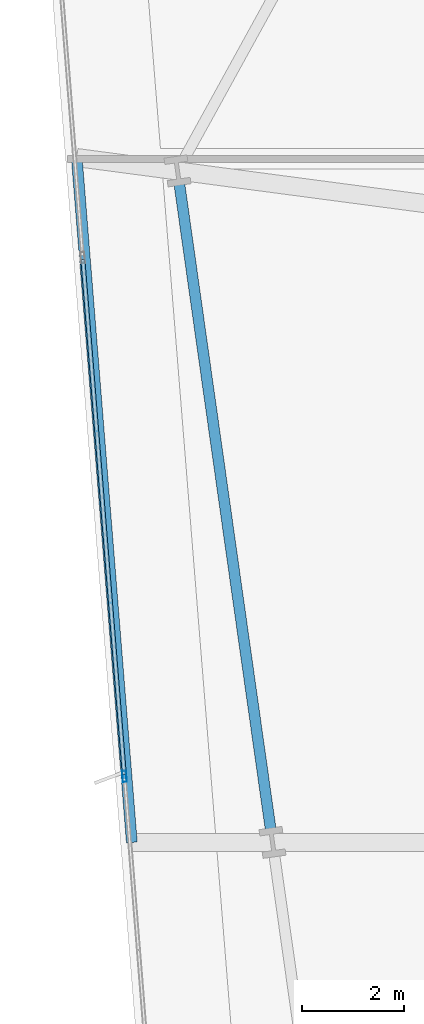
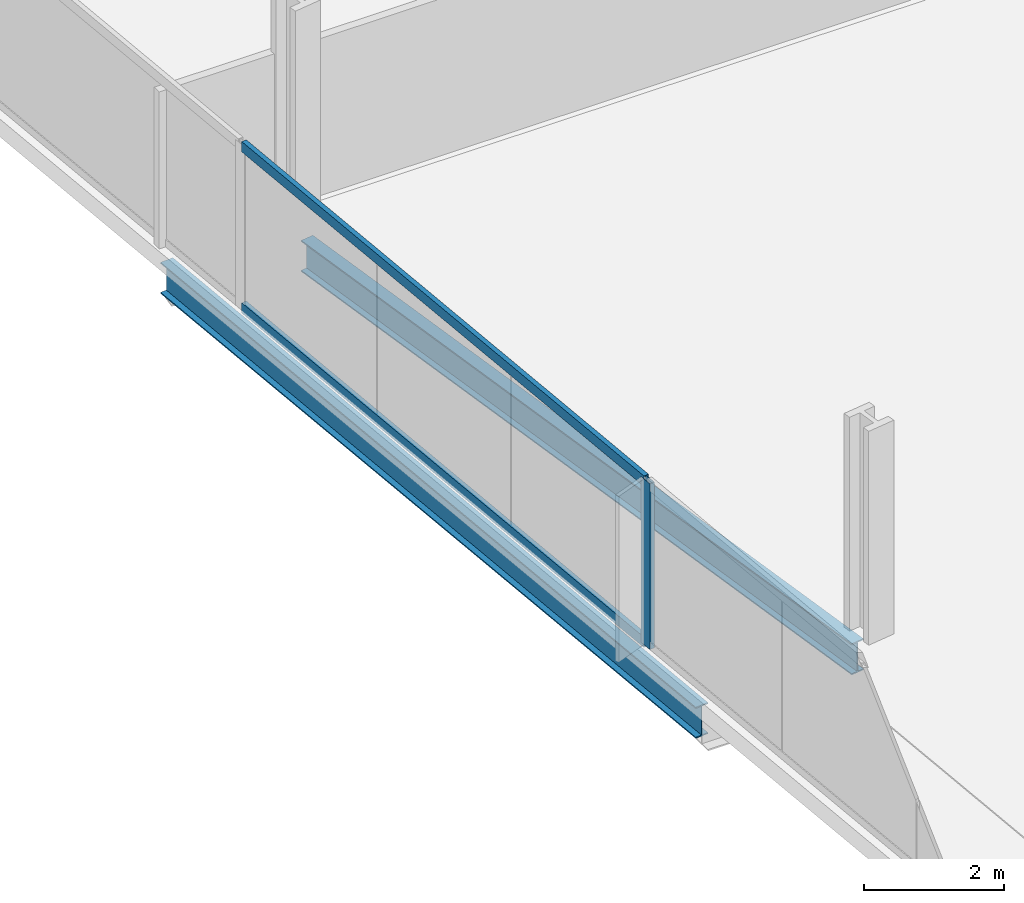
# One storey, part 7 of 33: 3 members, 2 beams, 1 element without a shape of its own.
"""IFC4 building model written with IfcOpenShell, lengths in metres."""

import ifcopenshell
import ifcopenshell.guid

model = None  # the IFC model being written
_history = None  # IfcOwnerHistory: only IFC2X3 demands one
_inside = {}  # id of a spatial element -> (the spatial element, [elements in it])
_under = {}  # id of a project, library or spatial element -> (it, [spatial elements below it])
_declared = {}  # id of a project -> (the project, [libraries it declares])
_typed = {}  # id of a type object -> (the type object, [elements of that type])
_made_of = {}  # id of a material, layer set ... -> (it, [elements and type objects made of it])


def new_model(schema):
    """Start an empty IFC model of exactly this schema.

    Asked for "IFC4X3", IfcOpenShell would pick the latest addendum, in which some entities
    have other attributes; the version numbers below select the first issue.
    IFC2X3 requires an IfcOwnerHistory on every rooted entity: one is made here for all.
    """
    global model, _history
    if schema == "IFC4X3":
        model = ifcopenshell.file(schema_version=(4, 3, 0, 0))
    else:
        model = ifcopenshell.file(schema=schema)
    _inside.clear()
    _under.clear()
    _declared.clear()
    _typed.clear()
    _made_of.clear()
    _history = None
    if model.schema == "IFC2X3":
        org = make("IfcOrganization", Name="unknown")
        user = make(
            "IfcPersonAndOrganization",
            ThePerson=make("IfcPerson", FamilyName="unknown"),
            TheOrganization=org,
        )
        app = make(
            "IfcApplication",
            ApplicationDeveloper=org,
            Version="unknown",
            ApplicationFullName="unknown",
            ApplicationIdentifier="unknown",
        )
        _history = make(
            "IfcOwnerHistory",
            OwningUser=user,
            OwningApplication=app,
            ChangeAction="ADDED",
            CreationDate=0,
        )
    return model


def make(cls, **values):
    """One entity of the class cls with the attributes given. An attribute that is None is left unset."""
    return model.create_entity(
        cls, **{name: value for name, value in values.items() if value is not None}
    )


def rooted(cls, **values):
    """An entity with a GlobalId (a new one), such as an element, a storey or a relation."""
    return make(cls, GlobalId=ifcopenshell.guid.new(), OwnerHistory=_history, **values)


def si_unit(unit_type, name, prefix=None):
    """IfcSIUnit, for example si_unit("LENGTHUNIT", "METRE", prefix="MILLI")."""
    return make("IfcSIUnit", UnitType=unit_type, Prefix=prefix, Name=name)


def assignment(units):
    """IfcUnitAssignment: the units of a project."""
    return None if units is None else make("IfcUnitAssignment", Units=units)


def point(xyz):
    """IfcCartesianPoint."""
    return None if xyz is None else make("IfcCartesianPoint", Coordinates=xyz)


def direction(xyz):
    """IfcDirection."""
    return None if xyz is None else make("IfcDirection", DirectionRatios=xyz)


def frame(location, z_axis=None, x_axis=None):
    """IfcAxis2Placement3D, a coordinate frame: its origin and axes. An axis left out is left unset."""
    return make(
        "IfcAxis2Placement3D",
        Location=point(location),
        Axis=direction(z_axis),
        RefDirection=direction(x_axis),
    )


def frame_2d(location, x_axis=None):
    """IfcAxis2Placement2D, a coordinate frame in the plane: its origin and x axis."""
    return make(
        "IfcAxis2Placement2D", Location=point(location), RefDirection=direction(x_axis)
    )


def origin():
    """The frame at (0, 0, 0) with its axes left unset."""
    return frame((0.0, 0.0, 0.0))


def origin_2d():
    """The frame at (0, 0) in the plane with its x axis left unset."""
    return frame_2d((0.0, 0.0))


def place(relative_to, where):
    """IfcLocalPlacement: puts the frame where relative to a parent placement (None: the world)."""
    return make(
        "IfcLocalPlacement", PlacementRelTo=relative_to, RelativePlacement=where
    )


def context(
    kind, dimensions, precision=None, world=None, true_north=None, identifier=None
):
    """IfcGeometricRepresentationContext, for example the 3D "Model" context."""
    return make(
        "IfcGeometricRepresentationContext",
        ContextIdentifier=identifier,
        ContextType=kind,
        CoordinateSpaceDimension=dimensions,
        Precision=precision,
        WorldCoordinateSystem=world,
        TrueNorth=true_north,
    )


def subcontext(parent, identifier, kind, view, scale=None):
    """IfcGeometricRepresentationSubContext, for example "Body" below "Model"."""
    return make(
        "IfcGeometricRepresentationSubContext",
        ContextIdentifier=identifier,
        ContextType=kind,
        ParentContext=parent,
        TargetScale=scale,
        TargetView=view,
    )


def project(units=None, contexts=None):
    """IfcProject with its units and contexts."""
    return rooted(
        "IfcProject",
        Name="project",
        RepresentationContexts=contexts,
        UnitsInContext=assignment(units),
    )


def spatial(cls, under=None, at=None, **own):
    """A site, building, storey or space (cls), placed at a placement, below another one or the project."""
    s = rooted(cls, ObjectPlacement=at, **own)
    if under is not None:
        _under.setdefault(under.id(), (under, []))[1].append(s)
    return s


def profile(cls, at=None, kind="AREA", **sizes):
    """A parametric profile (cls). Its sizes go by their IFC names, for example OverallWidth=200.0."""
    return make(cls, ProfileType=kind, Position=at, **sizes)


def hollow_rectangle(**sizes):
    """IfcRectangleHollowProfileDef."""
    return profile("IfcRectangleHollowProfileDef", **sizes)


def i_section(**sizes):
    """IfcIShapeProfileDef."""
    return profile("IfcIShapeProfileDef", **sizes)


def extrude(swept, where, along, depth):
    """IfcExtrudedAreaSolid: the profile swept, set in the frame where, extruded along a direction by depth."""
    return make(
        "IfcExtrudedAreaSolid",
        SweptArea=swept,
        Position=where,
        ExtrudedDirection=direction(along),
        Depth=depth,
    )


def shape(context_of_items, identifier, shape_type, items):
    """IfcShapeRepresentation: the items that make up one representation, for example the "Body"."""
    return make(
        "IfcShapeRepresentation",
        ContextOfItems=context_of_items,
        RepresentationIdentifier=identifier,
        RepresentationType=shape_type,
        Items=items,
    )


def material(Name=None, Category=None):
    """IfcMaterial."""
    return make("IfcMaterial", Name=Name, Category=Category)


def material_profile(
    of_material, cross_section, Name=None, Category=None, Priority=None
):
    """IfcMaterialProfile: a cross section and its material."""
    return make(
        "IfcMaterialProfile",
        Name=Name,
        Material=of_material,
        Profile=cross_section,
        Priority=Priority,
        Category=Category,
    )


def profile_set(profiles, Name=None, composite=None):
    """IfcMaterialProfileSet."""
    return make(
        "IfcMaterialProfileSet",
        Name=Name,
        MaterialProfiles=profiles,
        CompositeProfile=composite,
    )


def made_of(thing, what):
    """Note that an element or type object is made of a material, layer set ...; save() writes the relation."""
    if what is not None:
        _made_of.setdefault(what.id(), (what, []))[1].append(thing)
    return thing


def type_object(cls, material=None, **own):
    """A type object (cls), such as IfcWallType, which elements share."""
    return made_of(rooted(cls, **own), material)


def element(
    cls,
    number,
    at=None,
    inside=None,
    cuts=None,
    type_object=None,
    material=None,
    context=None,
    identifier="Body",
    shape_type=None,
    held_by="IfcProductDefinitionShape",
    body=None,
    shapes=None,
    **own,
):
    """One element of the class cls, such as IfcWall. Its Tag is "e" and its number.

    at: its placement. inside: the storey or other place that contains it. cuts: it is an
    opening in that element (IfcRelVoidsElement). A single representation is given by context,
    identifier, shape_type and body (its items); several are given by shapes. held_by: the class
    of the entity that holds the representations. save() writes the other relations.
    """
    e = rooted(cls, Tag="e%d" % number, ObjectPlacement=at, **own)
    if body is not None:
        shapes = [shape(context, identifier, shape_type, body)]
    if shapes is not None:
        e.Representation = make(held_by, Representations=shapes)
    if inside is not None:
        _inside.setdefault(inside.id(), (inside, []))[1].append(e)
    if cuts is not None:
        rooted(
            "IfcRelVoidsElement", RelatingBuildingElement=cuts, RelatedOpeningElement=e
        )
    if type_object is not None:
        _typed.setdefault(type_object.id(), (type_object, []))[1].append(e)
    return made_of(e, material)


def aggregate(whole, parts):
    """IfcRelAggregates: a whole, such as a stair, and the parts it consists of."""
    return rooted("IfcRelAggregates", RelatingObject=whole, RelatedObjects=parts)


def save(model, path):
    """Write the relations noted so far, then the file.

    IfcRelAggregates (storeys below a building ...), IfcRelContainedInSpatialStructure (elements
    in a storey), IfcRelDefinesByType, IfcRelAssociatesMaterial and IfcRelDeclares: one each for
    every whole, place, type object, material and project.
    """
    for whole, parts in _under.values():
        aggregate(whole, parts)
    for where, things in _inside.values():
        rooted(
            "IfcRelContainedInSpatialStructure",
            RelatedElements=things,
            RelatingStructure=where,
        )
    for kind, things in _typed.values():
        rooted("IfcRelDefinesByType", RelatedObjects=things, RelatingType=kind)
    for what, things in _made_of.values():
        rooted("IfcRelAssociatesMaterial", RelatedObjects=things, RelatingMaterial=what)
    for by, libraries in _declared.values():
        rooted("IfcRelDeclares", RelatingContext=by, RelatedDefinitions=libraries)
    model.write(path)


model = new_model("IFC4")

# Units and contexts
model_context = context("Model", 3, precision=1e-05, world=origin(), true_north=direction((0.0, 1.0)))
body_context = subcontext(model_context, "Body", "Model", "MODEL_VIEW")
ifc_project = project(units=[si_unit("LENGTHUNIT", "METRE"), si_unit("AREAUNIT", "SQUARE_METRE"), si_unit("VOLUMEUNIT", "CUBIC_METRE"), si_unit("PLANEANGLEUNIT", "RADIAN"), si_unit("MASSUNIT", "GRAM", prefix="KILO")], contexts=[model_context])

# Site, building, storey
site_placement = place(None, origin())
site = spatial("IfcSite", under=ifc_project, at=site_placement, CompositionType="ELEMENT")
building_placement = place(site_placement, origin())
building = spatial("IfcBuilding", under=site, at=building_placement, Name="Haldenkirk Collegiate Tower", CompositionType="ELEMENT")
storey_placement = place(building_placement, frame((0.0, 0.0, 43.949951171875)))
storey = spatial("IfcBuildingStorey", under=building, at=storey_placement, Name="L09", CompositionType="ELEMENT", Elevation=43.949951171875)

# Beams
ifc_material_1 = material(Name="Steel ASTM A992 Grade 50", Category="steel")
ifc_material_profile_1 = material_profile(ifc_material_1, i_section(OverallWidth=0.2119140625, OverallDepth=0.5439453125, WebThickness=0.01318359375, FlangeThickness=0.021240234375, at=origin_2d()), Name="W21X83")
ifc_profile_set_1 = profile_set([ifc_material_profile_1], Name="Steel ASTM A992 Grade 50")
beam_type = type_object("IfcBeamType", Name="BM-SPANDREL-W21X83", PredefinedType="SPANDREL", material=ifc_profile_set_1)
beam_1_placement = place(storey_placement, frame((10.30322265625, 35.951171875, -0.58203125), z_axis=(0.140049989419, -0.990144434143, 0.0), x_axis=(0.990144434143, 0.140049989419, 0.0)))
element("IfcBeam", 1, at=beam_1_placement, inside=storey, type_object=beam_type, Name="L09 perimeter spandrel beam 14", PredefinedType="SPANDREL", context=body_context, shape_type="SweptSolid", body=[
    extrude(i_section(OverallWidth=0.2119140625, OverallDepth=0.5439453125, WebThickness=0.01318359375, FlangeThickness=0.021240234375, at=origin_2d()), origin(), (0.0, 0.0, 1.0), 12.76220703125),
])
beam_2_placement = place(storey_placement, frame((8.290771484375, 36.474365234375, -0.58203125), z_axis=(0.08019706843, -0.996779027777, 0.0), x_axis=(0.996779027777, 0.08019706843, 0.0)))
element("IfcBeam", 2, at=beam_2_placement, inside=storey, type_object=beam_type, Name="L09 outer facade edge beam 4", PredefinedType="SPANDREL", context=body_context, shape_type="SweptSolid", body=[
    extrude(i_section(OverallWidth=0.2119140625, OverallDepth=0.5439453125, WebThickness=0.01318359375, FlangeThickness=0.021240234375, at=origin_2d()), origin(), (0.0, 0.0, 1.0), 13.46484375),
])

# Curtain wall, members
ifc_material_2 = material(Name="Anodised architectural bronze aluminium", Category="aluminium")
curtain_wall_type = type_object("IfcCurtainWallType", Name="CW-SYS1-CONVEX-LOW", PredefinedType="USERDEFINED", material=ifc_material_2)
curtain_wall_placement = place(storey_placement, origin())
curtain_wall = element("IfcCurtainWall", 3, at=curtain_wall_placement, inside=storey, type_object=curtain_wall_type, Name="L09 Lower tower convex bronze-framed unitised curtain wall", ObjectType="UNITISED CURTAIN WALL", PredefinedType="USERDEFINED")
ifc_material_profile_2 = material_profile(ifc_material_2, hollow_rectangle(XDim=0.080078125, YDim=0.219970703125, WallThickness=0.0048828125, at=origin_2d()), Name="CW-MUL-1A")
ifc_profile_set_2 = profile_set([ifc_material_profile_2], Name="Anodised architectural bronze aluminium")
member_type_1 = type_object("IfcMemberType", Name="CW-MUL-1A", PredefinedType="MULLION", material=ifc_profile_set_2)
member_1_placement = place(storey_placement, frame((9.226318359375, 24.347412109375, 0.0), z_axis=(0.0, 0.0, 1.0), x_axis=(-0.996778913457, -0.080198489315, 0.0)))
member_1 = element("IfcMember", 4, at=member_1_placement, type_object=member_type_1, Name="CW-1A mullion 3", PredefinedType="MULLION", context=body_context, shape_type="SweptSolid", body=[
    extrude(hollow_rectangle(XDim=0.080078125, YDim=0.219970703125, WallThickness=0.0048828125, at=origin_2d()), origin(), (0.0, 0.0, 1.0), 2.89111328125),
])
ifc_material_profile_3 = material_profile(ifc_material_2, hollow_rectangle(XDim=0.080078125, YDim=0.179931640625, WallThickness=0.0048828125, at=origin_2d()), Name="CW-TRN-1A")
ifc_profile_set_3 = profile_set([ifc_material_profile_3], Name="Anodised architectural bronze aluminium")
member_type_2 = type_object("IfcMemberType", Name="CW-TRN-1A", PredefinedType="USERDEFINED", material=ifc_profile_set_3)
member_2_placement = place(storey_placement, frame((9.22314453125, 24.38720703125, 0.0400390625), z_axis=(-0.080214088622, 0.99677765825, 0.0), x_axis=(-0.99677765825, -0.080214088622, 0.0)))
member_2 = element("IfcMember", 5, at=member_2_placement, type_object=member_type_2, Name="CW-1A transom 3.1", ObjectType="TRANSOM", PredefinedType="USERDEFINED", context=body_context, shape_type="SweptSolid", body=[
    extrude(hollow_rectangle(XDim=0.080078125, YDim=0.179931640625, WallThickness=0.0048828125, at=origin_2d()), origin(), (0.0, 0.0, 1.0), 10.1201171875),
])
member_3_placement = place(storey_placement, frame((9.22314453125, 24.38720703125, 2.85107421875), z_axis=(-0.080214088622, 0.99677765825, 0.0), x_axis=(-0.99677765825, -0.080214088622, 0.0)))
member_3 = element("IfcMember", 6, at=member_3_placement, type_object=member_type_2, Name="CW-1A transom 3.2", ObjectType="TRANSOM", PredefinedType="USERDEFINED", context=body_context, shape_type="SweptSolid", body=[
    extrude(hollow_rectangle(XDim=0.080078125, YDim=0.179931640625, WallThickness=0.0048828125, at=origin_2d()), origin(), (0.0, 0.0, 1.0), 10.1201171875),
])
aggregate(curtain_wall, [member_1, member_2, member_3])

save(model, "model.ifc")
